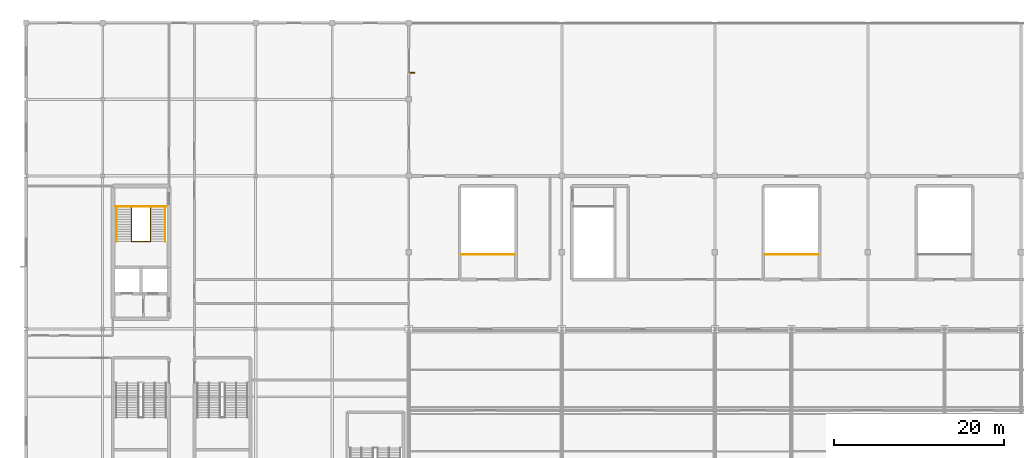
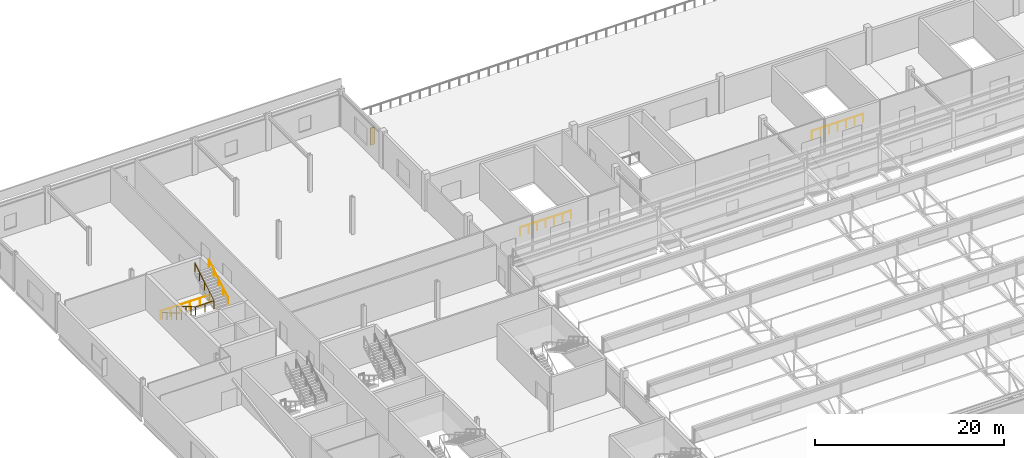
# One storey, part 130 of 136: 6 railings, 1 shading device.
"""IFC4 building model written with IfcOpenShell, lengths in metres."""

import ifcopenshell
import ifcopenshell.guid

model = None  # the IFC model being written
_history = None  # IfcOwnerHistory: only IFC2X3 demands one
_inside = {}  # id of a spatial element -> (the spatial element, [elements in it])
_under = {}  # id of a project, library or spatial element -> (it, [spatial elements below it])
_declared = {}  # id of a project -> (the project, [libraries it declares])
_typed = {}  # id of a type object -> (the type object, [elements of that type])
_made_of = {}  # id of a material, layer set ... -> (it, [elements and type objects made of it])


def new_model(schema):
    """Start an empty IFC model of exactly this schema.

    Asked for "IFC4X3", IfcOpenShell would pick the latest addendum, in which some entities
    have other attributes; the version numbers below select the first issue.
    IFC2X3 requires an IfcOwnerHistory on every rooted entity: one is made here for all.
    """
    global model, _history
    if schema == "IFC4X3":
        model = ifcopenshell.file(schema_version=(4, 3, 0, 0))
    else:
        model = ifcopenshell.file(schema=schema)
    _inside.clear()
    _under.clear()
    _declared.clear()
    _typed.clear()
    _made_of.clear()
    _history = None
    if model.schema == "IFC2X3":
        org = make("IfcOrganization", Name="unknown")
        user = make(
            "IfcPersonAndOrganization",
            ThePerson=make("IfcPerson", FamilyName="unknown"),
            TheOrganization=org,
        )
        app = make(
            "IfcApplication",
            ApplicationDeveloper=org,
            Version="unknown",
            ApplicationFullName="unknown",
            ApplicationIdentifier="unknown",
        )
        _history = make(
            "IfcOwnerHistory",
            OwningUser=user,
            OwningApplication=app,
            ChangeAction="ADDED",
            CreationDate=0,
        )
    return model


def make(cls, **values):
    """One entity of the class cls with the attributes given. An attribute that is None is left unset."""
    return model.create_entity(
        cls, **{name: value for name, value in values.items() if value is not None}
    )


def rooted(cls, **values):
    """An entity with a GlobalId (a new one), such as an element, a storey or a relation."""
    return make(cls, GlobalId=ifcopenshell.guid.new(), OwnerHistory=_history, **values)


def si_unit(unit_type, name, prefix=None):
    """IfcSIUnit, for example si_unit("LENGTHUNIT", "METRE", prefix="MILLI")."""
    return make("IfcSIUnit", UnitType=unit_type, Prefix=prefix, Name=name)


def assignment(units):
    """IfcUnitAssignment: the units of a project."""
    return None if units is None else make("IfcUnitAssignment", Units=units)


def point(xyz):
    """IfcCartesianPoint."""
    return None if xyz is None else make("IfcCartesianPoint", Coordinates=xyz)


def direction(xyz):
    """IfcDirection."""
    return None if xyz is None else make("IfcDirection", DirectionRatios=xyz)


def frame(location, z_axis=None, x_axis=None):
    """IfcAxis2Placement3D, a coordinate frame: its origin and axes. An axis left out is left unset."""
    return make(
        "IfcAxis2Placement3D",
        Location=point(location),
        Axis=direction(z_axis),
        RefDirection=direction(x_axis),
    )


def frame_2d(location, x_axis=None):
    """IfcAxis2Placement2D, a coordinate frame in the plane: its origin and x axis."""
    return make(
        "IfcAxis2Placement2D", Location=point(location), RefDirection=direction(x_axis)
    )


def origin():
    """The frame at (0, 0, 0) with its axes left unset."""
    return frame((0.0, 0.0, 0.0))


def origin_2d():
    """The frame at (0, 0) in the plane with its x axis left unset."""
    return frame_2d((0.0, 0.0))


def place(relative_to, where):
    """IfcLocalPlacement: puts the frame where relative to a parent placement (None: the world)."""
    return make(
        "IfcLocalPlacement", PlacementRelTo=relative_to, RelativePlacement=where
    )


def context(
    kind, dimensions, precision=None, world=None, true_north=None, identifier=None
):
    """IfcGeometricRepresentationContext, for example the 3D "Model" context."""
    return make(
        "IfcGeometricRepresentationContext",
        ContextIdentifier=identifier,
        ContextType=kind,
        CoordinateSpaceDimension=dimensions,
        Precision=precision,
        WorldCoordinateSystem=world,
        TrueNorth=true_north,
    )


def subcontext(parent, identifier, kind, view, scale=None):
    """IfcGeometricRepresentationSubContext, for example "Body" below "Model"."""
    return make(
        "IfcGeometricRepresentationSubContext",
        ContextIdentifier=identifier,
        ContextType=kind,
        ParentContext=parent,
        TargetScale=scale,
        TargetView=view,
    )


def project(units=None, contexts=None):
    """IfcProject with its units and contexts."""
    return rooted(
        "IfcProject",
        Name="project",
        RepresentationContexts=contexts,
        UnitsInContext=assignment(units),
    )


def spatial(cls, under=None, at=None, **own):
    """A site, building, storey or space (cls), placed at a placement, below another one or the project."""
    s = rooted(cls, ObjectPlacement=at, **own)
    if under is not None:
        _under.setdefault(under.id(), (under, []))[1].append(s)
    return s


def profile(cls, at=None, kind="AREA", **sizes):
    """A parametric profile (cls). Its sizes go by their IFC names, for example OverallWidth=200.0."""
    return make(cls, ProfileType=kind, Position=at, **sizes)


def rectangle(**sizes):
    """IfcRectangleProfileDef."""
    return profile("IfcRectangleProfileDef", **sizes)


def circle(**sizes):
    """IfcCircleProfileDef."""
    return profile("IfcCircleProfileDef", **sizes)


def extrude(swept, where, along, depth):
    """IfcExtrudedAreaSolid: the profile swept, set in the frame where, extruded along a direction by depth."""
    return make(
        "IfcExtrudedAreaSolid",
        SweptArea=swept,
        Position=where,
        ExtrudedDirection=direction(along),
        Depth=depth,
    )


def shape(context_of_items, identifier, shape_type, items):
    """IfcShapeRepresentation: the items that make up one representation, for example the "Body"."""
    return make(
        "IfcShapeRepresentation",
        ContextOfItems=context_of_items,
        RepresentationIdentifier=identifier,
        RepresentationType=shape_type,
        Items=items,
    )


def material(Name=None, Category=None):
    """IfcMaterial."""
    return make("IfcMaterial", Name=Name, Category=Category)


def made_of(thing, what):
    """Note that an element or type object is made of a material, layer set ...; save() writes the relation."""
    if what is not None:
        _made_of.setdefault(what.id(), (what, []))[1].append(thing)
    return thing


def type_object(cls, material=None, **own):
    """A type object (cls), such as IfcWallType, which elements share."""
    return made_of(rooted(cls, **own), material)


def element(
    cls,
    number,
    at=None,
    inside=None,
    cuts=None,
    type_object=None,
    material=None,
    context=None,
    identifier="Body",
    shape_type=None,
    held_by="IfcProductDefinitionShape",
    body=None,
    shapes=None,
    **own,
):
    """One element of the class cls, such as IfcWall. Its Tag is "e" and its number.

    at: its placement. inside: the storey or other place that contains it. cuts: it is an
    opening in that element (IfcRelVoidsElement). A single representation is given by context,
    identifier, shape_type and body (its items); several are given by shapes. held_by: the class
    of the entity that holds the representations. save() writes the other relations.
    """
    e = rooted(cls, Tag="e%d" % number, ObjectPlacement=at, **own)
    if body is not None:
        shapes = [shape(context, identifier, shape_type, body)]
    if shapes is not None:
        e.Representation = make(held_by, Representations=shapes)
    if inside is not None:
        _inside.setdefault(inside.id(), (inside, []))[1].append(e)
    if cuts is not None:
        rooted(
            "IfcRelVoidsElement", RelatingBuildingElement=cuts, RelatedOpeningElement=e
        )
    if type_object is not None:
        _typed.setdefault(type_object.id(), (type_object, []))[1].append(e)
    return made_of(e, material)


def aggregate(whole, parts):
    """IfcRelAggregates: a whole, such as a stair, and the parts it consists of."""
    return rooted("IfcRelAggregates", RelatingObject=whole, RelatedObjects=parts)


def save(model, path):
    """Write the relations noted so far, then the file.

    IfcRelAggregates (storeys below a building ...), IfcRelContainedInSpatialStructure (elements
    in a storey), IfcRelDefinesByType, IfcRelAssociatesMaterial and IfcRelDeclares: one each for
    every whole, place, type object, material and project.
    """
    for whole, parts in _under.values():
        aggregate(whole, parts)
    for where, things in _inside.values():
        rooted(
            "IfcRelContainedInSpatialStructure",
            RelatedElements=things,
            RelatingStructure=where,
        )
    for kind, things in _typed.values():
        rooted("IfcRelDefinesByType", RelatedObjects=things, RelatingType=kind)
    for what, things in _made_of.values():
        rooted("IfcRelAssociatesMaterial", RelatedObjects=things, RelatingMaterial=what)
    for by, libraries in _declared.values():
        rooted("IfcRelDeclares", RelatingContext=by, RelatedDefinitions=libraries)
    model.write(path)


model = new_model("IFC4")

# Units and contexts
model_context = context("Model", 3, precision=1e-05, world=origin(), true_north=direction((0.0, 1.0)))
body_context = subcontext(model_context, "Body", "Model", "MODEL_VIEW")
ifc_project = project(units=[si_unit("LENGTHUNIT", "METRE"), si_unit("AREAUNIT", "SQUARE_METRE"), si_unit("VOLUMEUNIT", "CUBIC_METRE"), si_unit("PLANEANGLEUNIT", "RADIAN"), si_unit("MASSUNIT", "GRAM", prefix="KILO")], contexts=[model_context])

# Site, building, storey
site_placement = place(None, origin())
site = spatial("IfcSite", under=ifc_project, at=site_placement, CompositionType="ELEMENT")
building_placement = place(site_placement, origin())
building = spatial("IfcBuilding", under=site, at=building_placement, Name="Kisiwana Market Hall", CompositionType="ELEMENT")
storey_placement = place(building_placement, frame((0.0, 0.0, 16.800048828125)))
storey = spatial("IfcBuildingStorey", under=building, at=storey_placement, Name="L03", CompositionType="ELEMENT", Elevation=16.800048828125)

# Railings
ifc_material_1 = material(Name="Steel S275", Category="steel")
railing_type_1 = type_object("IfcRailingType", Name="RL-GUARD-1100", PredefinedType="GUARDRAIL", material=ifc_material_1)
railing_1_placement = place(storey_placement, frame((12.375, 98.325439453125, 0.0)))
element("IfcRailing", 1, at=railing_1_placement, inside=storey, type_object=railing_type_1, Name="Stair ST-W1-L03 inner-well guardrail (RL-643)", PredefinedType="GUARDRAIL", context=body_context, shape_type="SweptSolid", body=[
    extrude(circle(Radius=0.02392578125, at=origin_2d()), frame((0.0, 0.0, 1.076171875), z_axis=(0.0, -0.8608543813, 0.508851387142), x_axis=(1.0, 0.0, 0.0)), (0.0, 0.0, 1.0), 4.71630859375),
    extrude(circle(Radius=0.02392578125, at=origin_2d()), frame((0.0, -4.06005859375, 3.47607421875), z_axis=(1.0, 0.0, 0.0), x_axis=(0.0, 1.0, 0.0)), (0.0, 0.0, 1.0), 2.25),
    extrude(circle(Radius=0.02392578125, at=origin_2d()), frame((2.25, -4.06005859375, 3.47607421875), z_axis=(0.0, 0.860831705478, 0.508889747237), x_axis=(-1.0, 0.0, 0.0)), (0.0, 0.0, 1.0), 4.716552734375),
    extrude(circle(Radius=0.02099609375, at=origin_2d()), origin(), (0.0, 0.0, 1.0), 1.052001953125),
    extrude(circle(Radius=0.02099609375, at=origin_2d()), frame((0.0, -1.01513671875, 0.60009765625)), (0.0, 0.0, 1.0), 1.052001953125),
    extrude(circle(Radius=0.02099609375, at=origin_2d()), frame((0.0, -2.030029296875, 1.199951171875)), (0.0, 0.0, 1.0), 1.052001953125),
    extrude(circle(Radius=0.02099609375, at=origin_2d()), frame((0.0, -3.044921875, 1.7998046875)), (0.0, 0.0, 1.0), 1.052001953125),
    extrude(circle(Radius=0.02099609375, at=origin_2d()), frame((0.0, -4.06005859375, 2.39990234375)), (0.0, 0.0, 1.0), 1.052001953125),
    extrude(circle(Radius=0.02099609375, at=origin_2d()), frame((1.125, -4.06005859375, 2.39990234375)), (0.0, 0.0, 1.0), 1.052001953125),
    extrude(circle(Radius=0.02099609375, at=origin_2d()), frame((2.25, -4.06005859375, 2.39990234375)), (0.0, 0.0, 1.0), 1.052001953125),
    extrude(circle(Radius=0.02099609375, at=origin_2d()), frame((2.25, -3.044921875, 3.0)), (0.0, 0.0, 1.0), 1.052001953125),
    extrude(circle(Radius=0.02099609375, at=origin_2d()), frame((2.25, -2.030029296875, 3.60009765625)), (0.0, 0.0, 1.0), 1.052001953125),
    extrude(circle(Radius=0.02099609375, at=origin_2d()), frame((2.25, -1.01513671875, 4.199951171875)), (0.0, 0.0, 1.0), 1.052001953125),
    extrude(circle(Radius=0.02099609375, at=origin_2d()), frame((2.25, 0.0, 4.800048828125)), (0.0, 0.0, 1.0), 1.052001953125),
])
railing_2_placement = place(storey_placement, frame((10.5048828125, 98.405517578125, 0.0)))
element("IfcRailing", 2, at=railing_2_placement, inside=storey, type_object=railing_type_1, Name="Stair ST-W1-L03 landing edge guardrail (RL-646)", PredefinedType="GUARDRAIL", context=body_context, shape_type="SweptSolid", body=[
    extrude(circle(Radius=0.02392578125, at=origin_2d()), frame((0.0, 0.0, 1.076171875), z_axis=(1.0, 0.0, 0.0), x_axis=(0.0, 1.0, 0.0)), (0.0, 0.0, 1.0), 5.990234375),
    extrude(circle(Radius=0.02099609375, at=origin_2d()), origin(), (0.0, 0.0, 1.0), 1.052001953125),
    extrude(circle(Radius=0.02099609375, at=origin_2d()), frame((1.197998046875, 0.0, 0.0)), (0.0, 0.0, 1.0), 1.052001953125),
    extrude(circle(Radius=0.02099609375, at=origin_2d()), frame((2.39599609375, 0.0, 0.0)), (0.0, 0.0, 1.0), 1.052001953125),
    extrude(circle(Radius=0.02099609375, at=origin_2d()), frame((3.59423828125, 0.0, 0.0)), (0.0, 0.0, 1.0), 1.052001953125),
    extrude(circle(Radius=0.02099609375, at=origin_2d()), frame((4.792236328125, 0.0, 0.0)), (0.0, 0.0, 1.0), 1.052001953125),
    extrude(circle(Radius=0.02099609375, at=origin_2d()), frame((5.990234375, 0.0, 0.0)), (0.0, 0.0, 1.0), 1.052001953125),
])
railing_3_placement = place(storey_placement, frame((51.179931640625, 92.739990234375, 0.0)))
element("IfcRailing", 3, at=railing_3_placement, inside=storey, type_object=railing_type_1, Name="Core N3 top stairwell guardrail (L03) (RL-744)", PredefinedType="GUARDRAIL", context=body_context, shape_type="SweptSolid", body=[
    extrude(circle(Radius=0.02392578125, at=origin_2d()), frame((0.0, 0.0, 1.076171875), z_axis=(1.0, 0.0, 0.0), x_axis=(0.0, 1.0, 0.0)), (0.0, 0.0, 1.0), 6.239990234375),
    extrude(circle(Radius=0.02099609375, at=origin_2d()), origin(), (0.0, 0.0, 1.0), 1.052001953125),
    extrude(circle(Radius=0.02099609375, at=origin_2d()), frame((1.0400390625, 0.0, 0.0)), (0.0, 0.0, 1.0), 1.052001953125),
    extrude(circle(Radius=0.02099609375, at=origin_2d()), frame((2.080078125, 0.0, 0.0)), (0.0, 0.0, 1.0), 1.052001953125),
    extrude(circle(Radius=0.02099609375, at=origin_2d()), frame((3.1201171875, 0.0, 0.0)), (0.0, 0.0, 1.0), 1.052001953125),
    extrude(circle(Radius=0.02099609375, at=origin_2d()), frame((4.159912109375, 0.0, 0.0)), (0.0, 0.0, 1.0), 1.052001953125),
    extrude(circle(Radius=0.02099609375, at=origin_2d()), frame((5.199951171875, 0.0, 0.0)), (0.0, 0.0, 1.0), 1.052001953125),
    extrude(circle(Radius=0.02099609375, at=origin_2d()), frame((6.239990234375, 0.0, 0.0)), (0.0, 0.0, 1.0), 1.052001953125),
])
railing_4_placement = place(storey_placement, frame((86.8798828125, 92.739990234375, 0.0)))
element("IfcRailing", 4, at=railing_4_placement, inside=storey, type_object=railing_type_1, Name="Core N4 top stairwell guardrail (L03) (RL-746)", PredefinedType="GUARDRAIL", context=body_context, shape_type="SweptSolid", body=[
    extrude(circle(Radius=0.02392578125, at=origin_2d()), frame((0.0, 0.0, 1.076171875), z_axis=(1.0, 0.0, 0.0), x_axis=(0.0, 1.0, 0.0)), (0.0, 0.0, 1.0), 6.240234375),
    extrude(circle(Radius=0.02099609375, at=origin_2d()), origin(), (0.0, 0.0, 1.0), 1.052001953125),
    extrude(circle(Radius=0.02099609375, at=origin_2d()), frame((1.0400390625, 0.0, 0.0)), (0.0, 0.0, 1.0), 1.052001953125),
    extrude(circle(Radius=0.02099609375, at=origin_2d()), frame((2.080078125, 0.0, 0.0)), (0.0, 0.0, 1.0), 1.052001953125),
    extrude(circle(Radius=0.02099609375, at=origin_2d()), frame((3.1201171875, 0.0, 0.0)), (0.0, 0.0, 1.0), 1.052001953125),
    extrude(circle(Radius=0.02099609375, at=origin_2d()), frame((4.16015625, 0.0, 0.0)), (0.0, 0.0, 1.0), 1.052001953125),
    extrude(circle(Radius=0.02099609375, at=origin_2d()), frame((5.2001953125, 0.0, 0.0)), (0.0, 0.0, 1.0), 1.052001953125),
    extrude(circle(Radius=0.02099609375, at=origin_2d()), frame((6.240234375, 0.0, 0.0)), (0.0, 0.0, 1.0), 1.052001953125),
])
ifc_material_2 = material(Name="Steel S275", Category="steel")
railing_type_2 = type_object("IfcRailingType", Name="RL-HAND-900", PredefinedType="HANDRAIL", material=ifc_material_2)
railing_5_placement = place(storey_placement, frame((10.635009765625, 98.325439453125, 0.0)))
element("IfcRailing", 5, at=railing_5_placement, inside=storey, type_object=railing_type_2, Name="Stair ST-W1-L03 flight 1 handrail (RL-644)", PredefinedType="HANDRAIL", context=body_context, shape_type="SweptSolid", body=[
    extrude(circle(Radius=0.02392578125, at=origin_2d()), frame((0.0, 0.0, 0.8759765625), z_axis=(0.0, -0.8608543813, 0.508851387142), x_axis=(1.0, 0.0, 0.0)), (0.0, 0.0, 1.0), 4.71630859375),
    extrude(circle(Radius=0.02099609375, at=origin_2d()), origin(), (0.0, 0.0, 1.0), 0.851806640625),
    extrude(circle(Radius=0.02099609375, at=origin_2d()), frame((0.0, -1.01513671875, 0.60009765625)), (0.0, 0.0, 1.0), 0.851806640625),
    extrude(circle(Radius=0.02099609375, at=origin_2d()), frame((0.0, -2.030029296875, 1.199951171875)), (0.0, 0.0, 1.0), 0.851806640625),
    extrude(circle(Radius=0.02099609375, at=origin_2d()), frame((0.0, -3.044921875, 1.7998046875)), (0.0, 0.0, 1.0), 0.851806640625),
    extrude(circle(Radius=0.02099609375, at=origin_2d()), frame((0.0, -4.06005859375, 2.39990234375)), (0.0, 0.0, 1.0), 0.851806640625),
])
railing_6_placement = place(storey_placement, frame((16.364990234375, 94.265380859375, 2.39990234375)))
element("IfcRailing", 6, at=railing_6_placement, inside=storey, type_object=railing_type_2, Name="Stair ST-W1-L03 flight 2 handrail (RL-645)", PredefinedType="HANDRAIL", context=body_context, shape_type="SweptSolid", body=[
    extrude(circle(Radius=0.02392578125, at=origin_2d()), frame((0.0, 0.0, 0.8759765625), z_axis=(0.0, 0.860831705478, 0.508889747237), x_axis=(-1.0, 0.0, 0.0)), (0.0, 0.0, 1.0), 4.716552734375),
    extrude(circle(Radius=0.02099609375, at=origin_2d()), origin(), (0.0, 0.0, 1.0), 0.851806640625),
    extrude(circle(Radius=0.02099609375, at=origin_2d()), frame((0.0, 1.01513671875, 0.60009765625)), (0.0, 0.0, 1.0), 0.851806640625),
    extrude(circle(Radius=0.02099609375, at=origin_2d()), frame((0.0, 2.030029296875, 1.2001953125)), (0.0, 0.0, 1.0), 0.851806640625),
    extrude(circle(Radius=0.02099609375, at=origin_2d()), frame((0.0, 3.044921875, 1.800048828125)), (0.0, 0.0, 1.0), 0.851806640625),
    extrude(circle(Radius=0.02099609375, at=origin_2d()), frame((0.0, 4.06005859375, 2.400146484375)), (0.0, 0.0, 1.0), 0.851806640625),
])

# Shading device
ifc_material_3 = material(Name="Aluminium alloy 6063-T6", Category="aluminium")
shading_device_type = type_object("IfcShadingDeviceType", Name="SHD-SHUTTER-V", PredefinedType="SHUTTER", material=ifc_material_3)
shading_device_placement = place(storey_placement, frame((45.445068359375, 114.1201171875, 0.85009765625), z_axis=(0.0, 0.0, 1.0), x_axis=(0.0, 1.0, 0.0)))
element("IfcShadingDevice", 7, at=shading_device_placement, inside=storey, type_object=shading_device_type, Name="Vertical solar fin SHD-066 SD-066", PredefinedType="SHUTTER", context=body_context, shape_type="SweptSolid", body=[
    extrude(rectangle(XDim=0.1201171875, YDim=0.550048828125, at=origin_2d()), origin(), (0.0, 0.0, 1.0), 2.199951171875),
])

save(model, "model.ifc")
